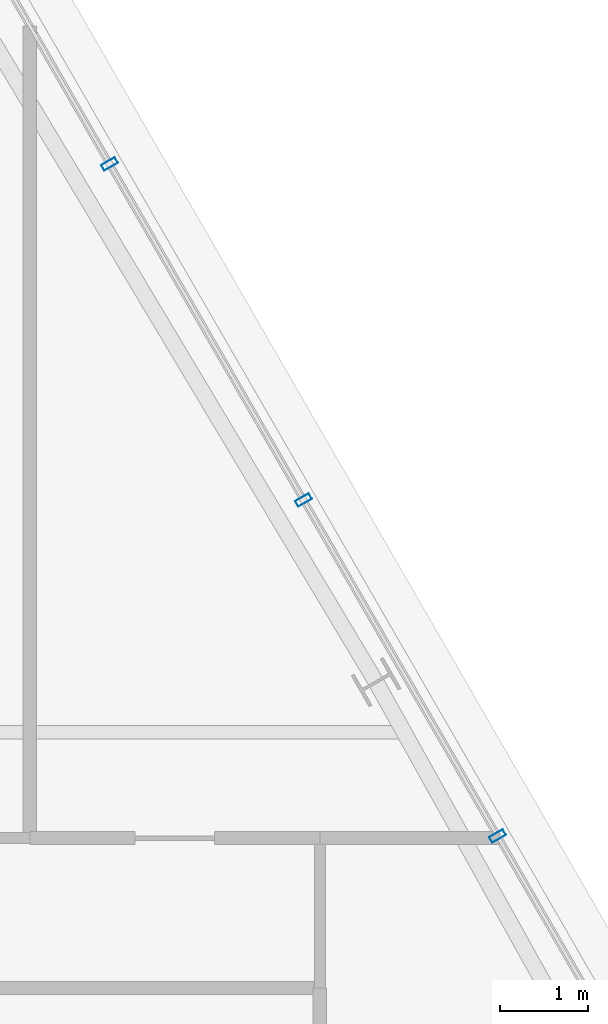
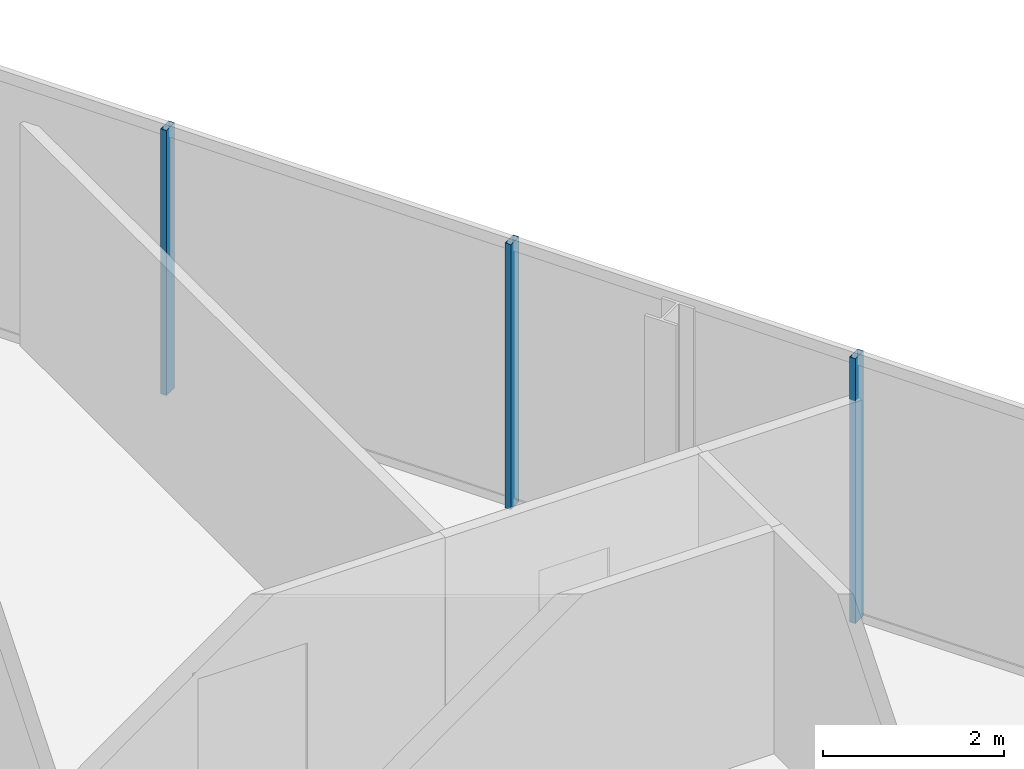
# One storey, part 24 of 32: 3 members, 1 element without a shape of its own.
"""IFC4 building model written with IfcOpenShell, lengths in metres."""

from ifc_helpers import new_model, si_unit, direction, frame, origin, origin_2d, place, context, subcontext, project, spatial, hollow_rectangle, extrude, material, layer, layer_set, material_profile, profile_set, type_object, element, aggregate, save


model = new_model("IFC4")

# Units and contexts
model_context = context("Model", 3, precision=1e-05, world=origin(), true_north=direction((0.0, 1.0)))
body_context = subcontext(model_context, "Body", "Model", "MODEL_VIEW")
ifc_project = project(units=[si_unit("LENGTHUNIT", "METRE"), si_unit("AREAUNIT", "SQUARE_METRE"), si_unit("VOLUMEUNIT", "CUBIC_METRE"), si_unit("PLANEANGLEUNIT", "RADIAN"), si_unit("MASSUNIT", "GRAM", prefix="KILO")], contexts=[model_context])

# Site, building, storey
site_placement = place(None, origin())
site = spatial("IfcSite", under=ifc_project, at=site_placement, CompositionType="ELEMENT")
building_placement = place(site_placement, origin())
building = spatial("IfcBuilding", under=site, at=building_placement, Name="Ndaravel Arena Tower", CompositionType="ELEMENT")
storey_placement = place(building_placement, frame((0.0, 0.0, 252.199951171875)))
storey = spatial("IfcBuildingStorey", under=building, at=storey_placement, Name="L61", CompositionType="ELEMENT", Elevation=252.199951171875)

# Curtain wall, members
ifc_material_1 = material(Name="Aluminium", Category="aluminium")
ifc_layer = layer(ifc_material_1, 0.179931640625)
ifc_layer_set = layer_set([ifc_layer], Name="Aluminium")
curtain_wall_type = type_object("IfcCurtainWallType", Name="CW-SYS-03", PredefinedType="NOTDEFINED", material=ifc_layer_set)
curtain_wall_placement = place(storey_placement, origin())
curtain_wall = element("IfcCurtainWall", 1, at=curtain_wall_placement, inside=storey, type_object=curtain_wall_type, Name="L61 Faceted Crystal Curtain Wall CW-L61-E03", PredefinedType="NOTDEFINED")
ifc_material_2 = material(Name="Aluminium", Category="aluminium")
ifc_material_profile = material_profile(ifc_material_2, hollow_rectangle(XDim=0.074951171875, YDim=0.179931640625, WallThickness=0.00390625, at=origin_2d()), Name="CW MULLION 75x180x4")
ifc_profile_set = profile_set([ifc_material_profile], Name="Aluminium")
member_type = type_object("IfcMemberType", Name="MEM-CW-MUL180", PredefinedType="MULLION", material=ifc_profile_set)
member_1_placement = place(storey_placement, frame((56.015380859375, 25.6240234375, 0.0), z_axis=(0.0, 0.0, 1.0), x_axis=(-0.5, 0.866025403784, 0.0)))
member_1 = element("IfcMember", 2, at=member_1_placement, type_object=member_type, Name="CW-L61-E03 Mullion 04", PredefinedType="MULLION", context=body_context, shape_type="SweptSolid", body=[
    extrude(hollow_rectangle(XDim=0.074951171875, YDim=0.179931640625, WallThickness=0.00390625, at=origin_2d()), origin(), (0.0, 0.0, 1.0), 3.580078125),
])
member_2_placement = place(storey_placement, frame((53.81494140625, 29.435302734375, 0.0), z_axis=(0.0, 0.0, 1.0), x_axis=(-0.5, 0.866025403784, 0.0)))
member_2 = element("IfcMember", 3, at=member_2_placement, type_object=member_type, Name="CW-L61-E03 Mullion 05", PredefinedType="MULLION", context=body_context, shape_type="SweptSolid", body=[
    extrude(hollow_rectangle(XDim=0.074951171875, YDim=0.179931640625, WallThickness=0.00390625, at=origin_2d()), origin(), (0.0, 0.0, 1.0), 3.580078125),
])
member_3_placement = place(storey_placement, frame((51.61474609375, 33.246337890625, 0.0), z_axis=(0.0, 0.0, 1.0), x_axis=(-0.5, 0.866025403784, 0.0)))
member_3 = element("IfcMember", 4, at=member_3_placement, type_object=member_type, Name="CW-L61-E03 Mullion 06", PredefinedType="MULLION", context=body_context, shape_type="SweptSolid", body=[
    extrude(hollow_rectangle(XDim=0.074951171875, YDim=0.179931640625, WallThickness=0.00390625, at=origin_2d()), origin(), (0.0, 0.0, 1.0), 3.580078125),
])
aggregate(curtain_wall, [member_1, member_2, member_3])

save(model, "model.ifc")
